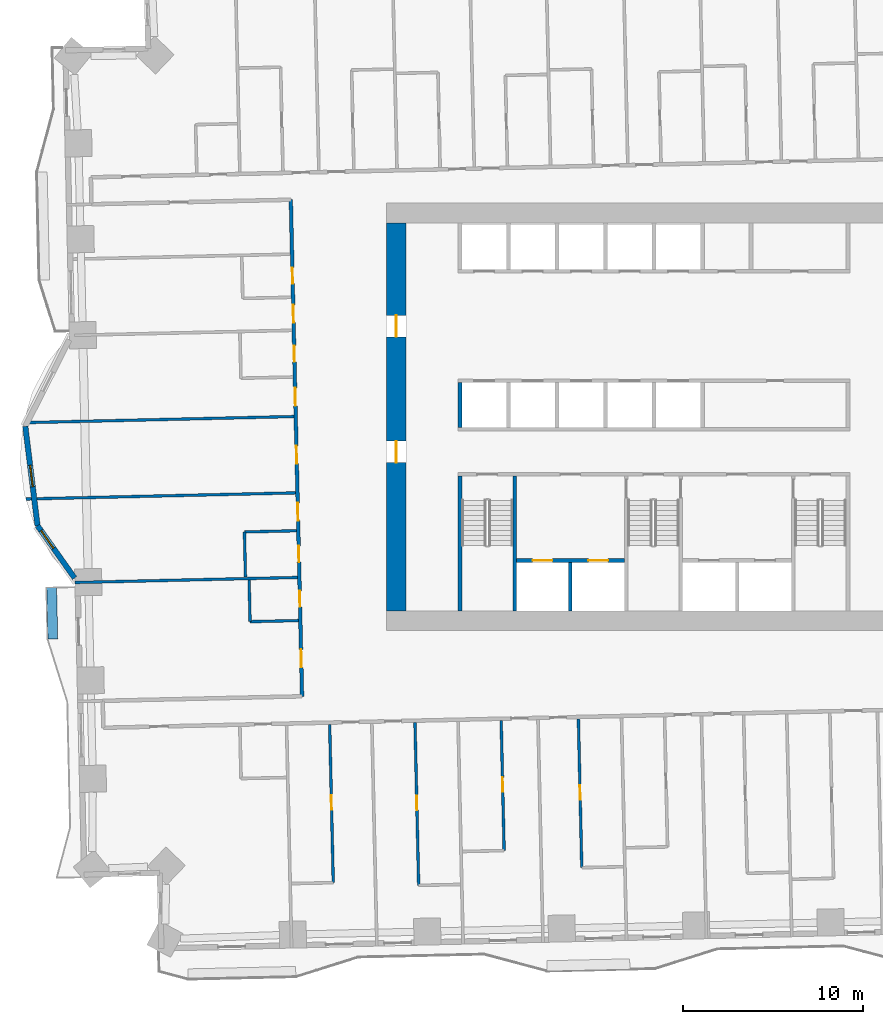
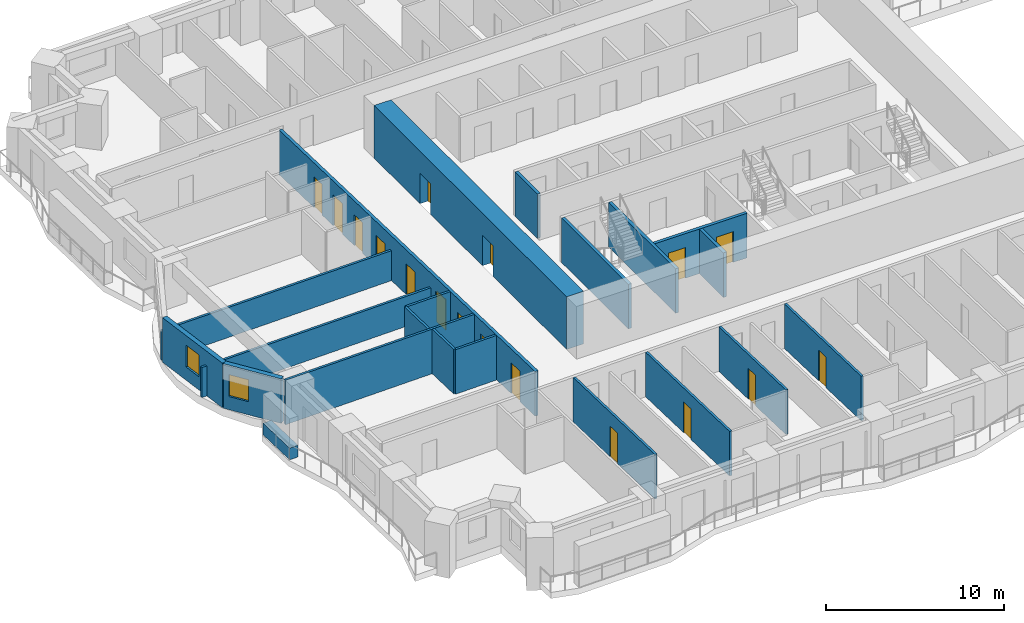
# One storey, part 5 of 16: 21 walls, 17 doors, 2 windows, 19 openings.
"""IFC4 building model written with IfcOpenShell, lengths in metres."""

from ifc_helpers import new_model, si_unit, direction, frame, frame_2d, origin, place, context, subcontext, project, spatial, rectangle, extrude, material, layer, layer_set, type_object, element, fill, save


model = new_model("IFC4")

# Units and contexts
model_context = context("Model", 3, precision=1e-05, world=origin(), true_north=direction((0.0, 1.0)))
body_context = subcontext(model_context, "Body", "Model", "MODEL_VIEW")
ifc_project = project(units=[si_unit("LENGTHUNIT", "METRE"), si_unit("AREAUNIT", "SQUARE_METRE"), si_unit("VOLUMEUNIT", "CUBIC_METRE"), si_unit("PLANEANGLEUNIT", "RADIAN"), si_unit("MASSUNIT", "GRAM", prefix="KILO")], contexts=[model_context])

# Site, building, storey
site_placement = place(None, origin())
site = spatial("IfcSite", under=ifc_project, at=site_placement, CompositionType="ELEMENT")
building_placement = place(site_placement, origin())
building = spatial("IfcBuilding", under=site, at=building_placement, Name="Mangrove Gate Tower", CompositionType="ELEMENT")
storey_placement = place(building_placement, frame((0.0, 0.0, 44.89990234375)))
storey = spatial("IfcBuildingStorey", under=building, at=storey_placement, Name="L10", CompositionType="ELEMENT", Elevation=44.89990234375)

# Wall, openings, doors
ifc_material_1 = material(Name="Concrete C70/85", Category="concrete")
ifc_layer_1 = layer(ifc_material_1, 0.199951171875)
ifc_layer_set_1 = layer_set([ifc_layer_1], Name="Core shaft wall 200 C70/85")
wall_type_1 = type_object("IfcWallType", Name="Core shaft wall 200 C70/85", PredefinedType="SHEAR", material=ifc_layer_set_1)
wall_1_placement = place(storey_placement, frame((-7.64990234375, -8.0, 0.0), z_axis=(0.0, 0.0, 1.0), x_axis=(1.0, 0.0, 0.0)))
wall_1 = element("IfcWall", 1, at=wall_1_placement, inside=storey, type_object=wall_type_1, Name="WALL-L10-CORE-15", PredefinedType="SHEAR", context=body_context, shape_type="SweptSolid", body=[
    extrude(rectangle(XDim=6.0, YDim=0.199951171875, at=frame_2d((3.0, 0.0))), origin(), (0.0, 0.0, 1.0), 3.050048828125),
])
opening_1_placement = place(wall_1_placement, frame((0.89990234375, 0.0, 0.0)))
opening_1 = element("IfcOpeningElement", 2, at=opening_1_placement, cuts=wall_1, Name="Opening LD", PredefinedType="OPENING", context=body_context, shape_type="SweptSolid", body=[
    extrude(rectangle(XDim=1.10009765625, YDim=2.10009765625, at=frame_2d((0.550048828125, 1.050048828125))), frame((0.0, 0.10986328125, 0.0), z_axis=(0.0, -1.0, 0.0), x_axis=(1.0, 0.0, 0.0)), (0.0, 0.0, 1.0), 0.219970703125),
])
opening_2_placement = place(wall_1_placement, frame((4.0, 0.0, 0.0)))
opening_2 = element("IfcOpeningElement", 3, at=opening_2_placement, cuts=wall_1, Name="Opening LD", PredefinedType="OPENING", context=body_context, shape_type="SweptSolid", body=[
    extrude(rectangle(XDim=1.10009765625, YDim=2.10009765625, at=frame_2d((0.550048828125, 1.050048828125))), frame((0.0, 0.10986328125, 0.0), z_axis=(0.0, -1.0, 0.0), x_axis=(1.0, 0.0, 0.0)), (0.0, 0.0, 1.0), 0.219970703125),
])
ifc_material_2 = material(Name="Stainless steel 316", Category="steel")
door_type_1 = type_object("IfcDoorType", Name="Lift landing door 1100x2100", OperationType="SLIDING_TO_LEFT", PredefinedType="DOOR", material=ifc_material_2)
door_1_placement = place(opening_1_placement, origin())
door_1 = element("IfcDoor", 4, at=door_1_placement, inside=storey, type_object=door_type_1, Name="Landing door LD SVL1", OperationType="SLIDING_TO_LEFT", OverallHeight=2.10009765625, OverallWidth=1.10009765625, PredefinedType="DOOR", context=body_context, shape_type="SweptSolid", body=[
    extrude(rectangle(XDim=1.10009765625, YDim=2.10009765625, at=frame_2d((0.550048828125, 1.050048828125))), frame((0.0, 0.02490234375, 0.0), z_axis=(0.0, -1.0, 0.0), x_axis=(1.0, 0.0, 0.0)), (0.0, 0.0, 1.0), 0.050048828125),
])
fill(opening_1, door_1)
door_2_placement = place(opening_2_placement, origin())
door_2 = element("IfcDoor", 5, at=door_2_placement, inside=storey, type_object=door_type_1, Name="Landing door LD SVL2", OperationType="SLIDING_TO_LEFT", OverallHeight=2.10009765625, OverallWidth=1.10009765625, PredefinedType="DOOR", context=body_context, shape_type="SweptSolid", body=[
    extrude(rectangle(XDim=1.10009765625, YDim=2.10009765625, at=frame_2d((0.550048828125, 1.050048828125))), frame((0.0, 0.02490234375, 0.0), z_axis=(0.0, -1.0, 0.0), x_axis=(1.0, 0.0, 0.0)), (0.0, 0.0, 1.0), 0.050048828125),
])
fill(opening_2, door_2)

# Walls
wall_2_placement = place(storey_placement, frame((-4.64990234375, -10.800048828125, 0.0), z_axis=(0.0, 0.0, 1.0), x_axis=(0.0, 1.0, 0.0)))
element("IfcWall", 6, at=wall_2_placement, inside=storey, type_object=wall_type_1, Name="WALL-L10-CORE-16", PredefinedType="SHEAR", context=body_context, shape_type="SweptSolid", body=[
    extrude(rectangle(XDim=2.699951171875, YDim=0.199951171875, at=frame_2d((1.35009765625, 0.0))), origin(), (0.0, 0.0, 1.0), 3.050048828125),
])
wall_3_placement = place(storey_placement, frame((-10.800048828125, -0.60009765625, 0.0), z_axis=(0.0, 0.0, 1.0), x_axis=(0.0, 1.0, 0.0)))
element("IfcWall", 7, at=wall_3_placement, inside=storey, type_object=wall_type_1, Name="WALL-L10-CORE-19", PredefinedType="SHEAR", context=body_context, shape_type="SweptSolid", body=[
    extrude(rectangle(XDim=2.5, YDim=0.199951171875, at=frame_2d((1.25, 0.0))), origin(), (0.0, 0.0, 1.0), 3.050048828125),
])
ifc_material_3 = material(Name="Concrete C70/85", Category="concrete")
ifc_layer_2 = layer(ifc_material_3, 0.199951171875)
ifc_layer_set_2 = layer_set([ifc_layer_2], Name="Core stair wall 200 C70/85")
wall_type_2 = type_object("IfcWallType", Name="Core stair wall 200 C70/85", PredefinedType="SHEAR", material=ifc_layer_set_2)
for number, where, z_axis, x_axis, name in (
    (8, (-10.800048828125, -10.800048828125, 0.0), (0.0, 0.0, 1.0), (0.0, 1.0, 0.0), "WALL-L10-CORE-9"),
    (9, (-7.75, -10.800048828125, 0.0), (0.0, 0.0, 1.0), (0.0, 1.0, 0.0), "WALL-L10-CORE-10"),
):
    element("IfcWall", number, at=place(storey_placement, frame(where, z_axis=z_axis, x_axis=x_axis)), inside=storey, type_object=wall_type_2, Name=name, PredefinedType="SHEAR", context=body_context, shape_type="SweptSolid", body=[
        extrude(rectangle(XDim=7.5, YDim=0.199951171875, at=frame_2d((3.75, 0.0))), origin(), (0.0, 0.0, 1.0), 3.050048828125),
    ])

# Wall, openings, doors
ifc_material_4 = material(Name="Concrete C70/85", Category="concrete")
ifc_layer_3 = layer(ifc_material_4, 1.10009765625)
ifc_layer_set_3 = layer_set([ifc_layer_3], Name="Core wall 1100 C70/85")
wall_type_3 = type_object("IfcWallType", Name="Core wall 1100 C70/85", PredefinedType="SHEAR", material=ifc_layer_set_3)
wall_4_placement = place(storey_placement, frame((-14.35009765625, -10.800048828125, 0.0), z_axis=(0.0, 0.0, 1.0), x_axis=(0.0, 1.0, 0.0)))
wall_4 = element("IfcWall", 10, at=wall_4_placement, inside=storey, type_object=wall_type_3, Name="WALL-L10-CORE-3", PredefinedType="SHEAR", context=body_context, shape_type="SweptSolid", body=[
    extrude(rectangle(XDim=21.60009765625, YDim=1.10009765625, at=frame_2d((10.800048828125, 0.0))), origin(), (0.0, 0.0, 1.0), 3.60009765625),
])
opening_3_placement = place(wall_4_placement, frame((8.25, 0.0, 0.0)))
opening_3 = element("IfcOpeningElement", 11, at=opening_3_placement, cuts=wall_4, Name="Opening CD", PredefinedType="OPENING", context=body_context, shape_type="SweptSolid", body=[
    extrude(rectangle(XDim=1.199951171875, YDim=2.10009765625, at=frame_2d((0.60009765625, 1.050048828125))), frame((0.0, 0.56005859375, 0.0), z_axis=(0.0, -1.0, 0.0), x_axis=(1.0, 0.0, 0.0)), (0.0, 0.0, 1.0), 1.1201171875),
])
opening_4_placement = place(wall_4_placement, frame((15.25, 0.0, 0.0)))
opening_4 = element("IfcOpeningElement", 12, at=opening_4_placement, cuts=wall_4, Name="Opening CD", PredefinedType="OPENING", context=body_context, shape_type="SweptSolid", body=[
    extrude(rectangle(XDim=1.199951171875, YDim=2.10009765625, at=frame_2d((0.60009765625, 1.050048828125))), frame((0.0, 0.56005859375, 0.0), z_axis=(0.0, -1.0, 0.0), x_axis=(1.0, 0.0, 0.0)), (0.0, 0.0, 1.0), 1.1201171875),
])
ifc_material_5 = material(Name="Fire-rated steel door set", Category="steel")
door_type_2 = type_object("IfcDoorType", Name="Core ring door FD60 1200x2100", OperationType="DOUBLE_DOOR_SINGLE_SWING", PredefinedType="DOOR", material=ifc_material_5)
door_3_placement = place(opening_3_placement, origin())
door_3 = element("IfcDoor", 13, at=door_3_placement, inside=storey, type_object=door_type_2, Name="Core ring door W1", OperationType="DOUBLE_DOOR_SINGLE_SWING", OverallHeight=2.10009765625, OverallWidth=1.199951171875, PredefinedType="DOOR", context=body_context, shape_type="SweptSolid", body=[
    extrude(rectangle(XDim=1.199951171875, YDim=2.10009765625, at=frame_2d((0.60009765625, 1.050048828125))), frame((0.0, 0.02490234375, 0.0), z_axis=(0.0, -1.0, 0.0), x_axis=(1.0, 0.0, 0.0)), (0.0, 0.0, 1.0), 0.050048828125),
])
fill(opening_3, door_3)
door_4_placement = place(opening_4_placement, origin())
door_4 = element("IfcDoor", 14, at=door_4_placement, inside=storey, type_object=door_type_2, Name="Core ring door W2", OperationType="DOUBLE_DOOR_SINGLE_SWING", OverallHeight=2.10009765625, OverallWidth=1.199951171875, PredefinedType="DOOR", context=body_context, shape_type="SweptSolid", body=[
    extrude(rectangle(XDim=1.199951171875, YDim=2.10009765625, at=frame_2d((0.60009765625, 1.050048828125))), frame((0.0, 0.02490234375, 0.0), z_axis=(0.0, -1.0, 0.0), x_axis=(1.0, 0.0, 0.0)), (0.0, 0.0, 1.0), 0.050048828125),
])
fill(opening_4, door_4)

ifc_material_6 = material(Name="Gypsum board on steel stud, EI 60", Category="steel")
ifc_layer_4 = layer(ifc_material_6, 0.199951171875)
ifc_layer_set_4 = layer_set([ifc_layer_4], Name="Corridor wall EI 60")
wall_type_4 = type_object("IfcWallType", Name="Corridor wall EI 60", PredefinedType="PARTITIONING", material=ifc_layer_set_4)
wall_5_placement = place(storey_placement, frame((-19.589111328125, -15.56201171875, 0.0), z_axis=(0.0, 0.0, 1.0), x_axis=(-0.02267447203, 0.999742901109, 0.0)))
wall_5 = element("IfcWall", 15, at=wall_5_placement, inside=storey, type_object=wall_type_4, Name="WALL-L10-036", PredefinedType="PARTITIONING", context=body_context, shape_type="SweptSolid", body=[
    extrude(rectangle(XDim=27.650146484375, YDim=0.199951171875, at=frame_2d((13.8251953125, 0.0))), origin(), (0.0, 0.0, 1.0), 3.050048828125),
])
opening_5_placement = place(wall_5_placement, frame((20.800048828125, 0.0, 0.0)))
opening_5 = element("IfcOpeningElement", 16, at=opening_5_placement, cuts=wall_5, Name="Opening AD", PredefinedType="OPENING", context=body_context, shape_type="SweptSolid", body=[
    extrude(rectangle(XDim=1.0, YDim=2.10009765625, at=frame_2d((0.5, 1.050048828125))), frame((0.0, 0.10986328125, 0.0), z_axis=(0.0, -1.0, 0.0), x_axis=(1.0, 0.0, 0.0)), (0.0, 0.0, 1.0), 0.219970703125),
])
opening_6_placement = place(wall_5_placement, frame((22.97509765625, 0.0, 0.0)))
opening_6 = element("IfcOpeningElement", 17, at=opening_6_placement, cuts=wall_5, Name="Opening SD", PredefinedType="OPENING", context=body_context, shape_type="SweptSolid", body=[
    extrude(rectangle(XDim=0.89990234375, YDim=2.10009765625, at=frame_2d((0.449951171875, 1.050048828125))), frame((0.0, 0.10986328125, 0.0), z_axis=(0.0, -1.0, 0.0), x_axis=(1.0, 0.0, 0.0)), (0.0, 0.0, 1.0), 0.219970703125),
])
opening_7_placement = place(wall_5_placement, frame((16.175048828125, 0.0, 0.0)))
opening_7 = element("IfcOpeningElement", 18, at=opening_7_placement, cuts=wall_5, Name="Opening AD", PredefinedType="OPENING", context=body_context, shape_type="SweptSolid", body=[
    extrude(rectangle(XDim=1.0, YDim=2.10009765625, at=frame_2d((0.5, 1.050048828125))), frame((0.0, 0.10986328125, 0.0), z_axis=(0.0, -1.0, 0.0), x_axis=(1.0, 0.0, 0.0)), (0.0, 0.0, 1.0), 0.219970703125),
])
opening_8_placement = place(wall_5_placement, frame((18.625, 0.0, 0.0)))
opening_8 = element("IfcOpeningElement", 19, at=opening_8_placement, cuts=wall_5, Name="Opening SD", PredefinedType="OPENING", context=body_context, shape_type="SweptSolid", body=[
    extrude(rectangle(XDim=0.89990234375, YDim=2.10009765625, at=frame_2d((0.449951171875, 1.050048828125))), frame((0.0, 0.10986328125, 0.0), z_axis=(0.0, -1.0, 0.0), x_axis=(1.0, 0.0, 0.0)), (0.0, 0.0, 1.0), 0.219970703125),
])
opening_9_placement = place(wall_5_placement, frame((12.949951171875, 0.0, 0.0)))
opening_9 = element("IfcOpeningElement", 20, at=opening_9_placement, cuts=wall_5, Name="Opening AD", PredefinedType="OPENING", context=body_context, shape_type="SweptSolid", body=[
    extrude(rectangle(XDim=1.0, YDim=2.10009765625, at=frame_2d((0.5, 1.050048828125))), frame((0.0, 0.10986328125, 0.0), z_axis=(0.0, -1.0, 0.0), x_axis=(1.0, 0.0, 0.0)), (0.0, 0.0, 1.0), 0.219970703125),
])
opening_10_placement = place(wall_5_placement, frame((9.77490234375, 0.0, 0.0)))
opening_10 = element("IfcOpeningElement", 21, at=opening_10_placement, cuts=wall_5, Name="Opening AD", PredefinedType="OPENING", context=body_context, shape_type="SweptSolid", body=[
    extrude(rectangle(XDim=1.0, YDim=2.10009765625, at=frame_2d((0.5, 1.050048828125))), frame((0.0, 0.10986328125, 0.0), z_axis=(0.0, -1.0, 0.0), x_axis=(1.0, 0.0, 0.0)), (0.0, 0.0, 1.0), 0.219970703125),
])
opening_11_placement = place(wall_5_placement, frame((7.47509765625, 0.0, 0.0)))
opening_11 = element("IfcOpeningElement", 22, at=opening_11_placement, cuts=wall_5, Name="Opening SD", PredefinedType="OPENING", context=body_context, shape_type="SweptSolid", body=[
    extrude(rectangle(XDim=0.89990234375, YDim=2.10009765625, at=frame_2d((0.449951171875, 1.050048828125))), frame((0.0, 0.10986328125, 0.0), z_axis=(0.0, -1.0, 0.0), x_axis=(1.0, 0.0, 0.0)), (0.0, 0.0, 1.0), 0.219970703125),
])
opening_12_placement = place(wall_5_placement, frame((1.612060546875, 0.0, 0.0)))
opening_12 = element("IfcOpeningElement", 23, at=opening_12_placement, cuts=wall_5, Name="Opening AD", PredefinedType="OPENING", context=body_context, shape_type="SweptSolid", body=[
    extrude(rectangle(XDim=1.0, YDim=2.10009765625, at=frame_2d((0.5, 1.050048828125))), frame((0.0, 0.10986328125, 0.0), z_axis=(0.0, -1.0, 0.0), x_axis=(1.0, 0.0, 0.0)), (0.0, 0.0, 1.0), 0.219970703125),
])
opening_13_placement = place(wall_5_placement, frame((4.97509765625, 0.0, 0.0)))
opening_13 = element("IfcOpeningElement", 24, at=opening_13_placement, cuts=wall_5, Name="Opening SD", PredefinedType="OPENING", context=body_context, shape_type="SweptSolid", body=[
    extrude(rectangle(XDim=0.89990234375, YDim=2.10009765625, at=frame_2d((0.449951171875, 1.050048828125))), frame((0.0, 0.10986328125, 0.0), z_axis=(0.0, -1.0, 0.0), x_axis=(1.0, 0.0, 0.0)), (0.0, 0.0, 1.0), 0.219970703125),
])
ifc_material_7 = material(Name="Timber door leaf", Category="wood")
door_type_3 = type_object("IfcDoorType", Name="Amenity door 1000", OperationType="SINGLE_SWING_LEFT", PredefinedType="DOOR", material=ifc_material_7)
door_5_placement = place(opening_5_placement, origin())
door_5 = element("IfcDoor", 25, at=door_5_placement, inside=storey, type_object=door_type_3, Name="DOOR-L10-GAM-c5a", OperationType="SINGLE_SWING_LEFT", OverallHeight=2.10009765625, OverallWidth=1.0, PredefinedType="DOOR", context=body_context, shape_type="SweptSolid", body=[
    extrude(rectangle(XDim=1.0, YDim=2.10009765625, at=frame_2d((0.5, 1.050048828125))), frame((0.0, 0.02490234375, 0.0), z_axis=(0.0, -1.0, 0.0), x_axis=(1.0, 0.0, 0.0)), (0.0, 0.0, 1.0), 0.050048828125),
])
fill(opening_5, door_5)
door_6_placement = place(opening_7_placement, origin())
door_6 = element("IfcDoor", 26, at=door_6_placement, inside=storey, type_object=door_type_3, Name="DOOR-L10-LNG-c5b", OperationType="SINGLE_SWING_RIGHT", OverallHeight=2.10009765625, OverallWidth=1.0, PredefinedType="DOOR", context=body_context, shape_type="SweptSolid", body=[
    extrude(rectangle(XDim=1.0, YDim=2.10009765625, at=frame_2d((0.5, 1.050048828125))), frame((0.0, 0.02490234375, 0.0), z_axis=(0.0, -1.0, 0.0), x_axis=(1.0, 0.0, 0.0)), (0.0, 0.0, 1.0), 0.050048828125),
])
fill(opening_7, door_6)
door_7_placement = place(opening_9_placement, origin())
door_7 = element("IfcDoor", 27, at=door_7_placement, inside=storey, type_object=door_type_3, Name="DOOR-L10-LNG-c5c", OperationType="SINGLE_SWING_LEFT", OverallHeight=2.10009765625, OverallWidth=1.0, PredefinedType="DOOR", context=body_context, shape_type="SweptSolid", body=[
    extrude(rectangle(XDim=1.0, YDim=2.10009765625, at=frame_2d((0.5, 1.050048828125))), frame((0.0, 0.02490234375, 0.0), z_axis=(0.0, -1.0, 0.0), x_axis=(1.0, 0.0, 0.0)), (0.0, 0.0, 1.0), 0.050048828125),
])
fill(opening_9, door_7)
door_8_placement = place(opening_10_placement, origin())
door_8 = element("IfcDoor", 28, at=door_8_placement, inside=storey, type_object=door_type_3, Name="DOOR-L10-KIT-c5a", OperationType="SINGLE_SWING_RIGHT", OverallHeight=2.10009765625, OverallWidth=1.0, PredefinedType="DOOR", context=body_context, shape_type="SweptSolid", body=[
    extrude(rectangle(XDim=1.0, YDim=2.10009765625, at=frame_2d((0.5, 1.050048828125))), frame((0.0, 0.02490234375, 0.0), z_axis=(0.0, -1.0, 0.0), x_axis=(1.0, 0.0, 0.0)), (0.0, 0.0, 1.0), 0.050048828125),
])
fill(opening_10, door_8)
door_9_placement = place(opening_12_placement, origin())
door_9 = element("IfcDoor", 29, at=door_9_placement, inside=storey, type_object=door_type_3, Name="DOOR-L10-GAM-c5b", OperationType="SINGLE_SWING_LEFT", OverallHeight=2.10009765625, OverallWidth=1.0, PredefinedType="DOOR", context=body_context, shape_type="SweptSolid", body=[
    extrude(rectangle(XDim=1.0, YDim=2.10009765625, at=frame_2d((0.5, 1.050048828125))), frame((0.0, 0.02490234375, 0.0), z_axis=(0.0, -1.0, 0.0), x_axis=(1.0, 0.0, 0.0)), (0.0, 0.0, 1.0), 0.050048828125),
])
fill(opening_12, door_9)
ifc_material_8 = material(Name="Timber door leaf", Category="wood")
door_type_4 = type_object("IfcDoorType", Name="Service room door 900", OperationType="SINGLE_SWING_LEFT", PredefinedType="DOOR", material=ifc_material_8)
door_10_placement = place(opening_6_placement, origin())
door_10 = element("IfcDoor", 30, at=door_10_placement, inside=storey, type_object=door_type_4, Name="DOOR-L10-WC-c5b", OperationType="SINGLE_SWING_RIGHT", OverallHeight=2.10009765625, OverallWidth=0.89990234375, PredefinedType="DOOR", context=body_context, shape_type="SweptSolid", body=[
    extrude(rectangle(XDim=0.89990234375, YDim=2.10009765625, at=frame_2d((0.449951171875, 1.050048828125))), frame((0.0, 0.02490234375, 0.0), z_axis=(0.0, -1.0, 0.0), x_axis=(1.0, 0.0, 0.0)), (0.0, 0.0, 1.0), 0.050048828125),
])
fill(opening_6, door_10)
door_11_placement = place(opening_8_placement, origin())
door_11 = element("IfcDoor", 31, at=door_11_placement, inside=storey, type_object=door_type_4, Name="DOOR-L10-AWC-c5a", OperationType="SINGLE_SWING_LEFT", OverallHeight=2.10009765625, OverallWidth=0.89990234375, PredefinedType="DOOR", context=body_context, shape_type="SweptSolid", body=[
    extrude(rectangle(XDim=0.89990234375, YDim=2.10009765625, at=frame_2d((0.449951171875, 1.050048828125))), frame((0.0, 0.02490234375, 0.0), z_axis=(0.0, -1.0, 0.0), x_axis=(1.0, 0.0, 0.0)), (0.0, 0.0, 1.0), 0.050048828125),
])
fill(opening_8, door_11)
door_12_placement = place(opening_11_placement, origin())
door_12 = element("IfcDoor", 32, at=door_12_placement, inside=storey, type_object=door_type_4, Name="DOOR-L10-AWC-c5b", OperationType="SINGLE_SWING_RIGHT", OverallHeight=2.10009765625, OverallWidth=0.89990234375, PredefinedType="DOOR", context=body_context, shape_type="SweptSolid", body=[
    extrude(rectangle(XDim=0.89990234375, YDim=2.10009765625, at=frame_2d((0.449951171875, 1.050048828125))), frame((0.0, 0.02490234375, 0.0), z_axis=(0.0, -1.0, 0.0), x_axis=(1.0, 0.0, 0.0)), (0.0, 0.0, 1.0), 0.050048828125),
])
fill(opening_11, door_12)
door_13_placement = place(opening_13_placement, origin())
door_13 = element("IfcDoor", 33, at=door_13_placement, inside=storey, type_object=door_type_4, Name="DOOR-L10-WC-c5c", OperationType="SINGLE_SWING_LEFT", OverallHeight=2.10009765625, OverallWidth=0.89990234375, PredefinedType="DOOR", context=body_context, shape_type="SweptSolid", body=[
    extrude(rectangle(XDim=0.89990234375, YDim=2.10009765625, at=frame_2d((0.449951171875, 1.050048828125))), frame((0.0, 0.02490234375, 0.0), z_axis=(0.0, -1.0, 0.0), x_axis=(1.0, 0.0, 0.0)), (0.0, 0.0, 1.0), 0.050048828125),
])
fill(opening_13, door_13)

# Wall, opening, window
ifc_material_9 = material(Name="Limestone", Category="masonry")
ifc_layer_5 = layer(ifc_material_9, 0.0400390625, Name="Limestone cladding")
ifc_material_10 = material(Name="Ventilated air gap")
ifc_layer_6 = layer(ifc_material_10, 0.0400390625, Name="Ventilated cavity")
ifc_material_11 = material(Name="Mineral wool insulation")
ifc_layer_7 = layer(ifc_material_11, 0.06005859375, Name="Insulation")
ifc_material_12 = material(Name="Breather membrane")
ifc_layer_8 = layer(ifc_material_12, 0.001953125, Name="Breather membrane")
ifc_material_13 = material(Name="Concrete C20/25 blockwork", Category="masonry")
ifc_layer_9 = layer(ifc_material_13, 0.14990234375, Name="Blockwork backing wall")
ifc_material_14 = material(Name="Gypsum plaster")
ifc_layer_10 = layer(ifc_material_14, 0.008056640625, Name="Internal plaster")
ifc_layer_set_5 = layer_set([ifc_layer_5, ifc_layer_6, ifc_layer_7, ifc_layer_8, ifc_layer_9, ifc_layer_10], Name="External wall 300 limestone cladding")
wall_type_5 = type_object("IfcWallType", Name="External wall 300 limestone cladding", PredefinedType="SOLIDWALL", material=ifc_layer_set_5)
wall_6_placement = place(storey_placement, frame((-34.99609375, -0.533935546875, 0.0), z_axis=(0.0, 0.0, 1.0), x_axis=(0.122206978992, -0.992504636909, 0.0)))
wall_6 = element("IfcWall", 34, at=wall_6_placement, inside=storey, type_object=wall_type_5, Name="WALL-L10-W9f2", PredefinedType="SOLIDWALL", context=body_context, shape_type="SweptSolid", body=[
    extrude(rectangle(XDim=5.57373046875, YDim=0.300048828125, at=frame_2d((2.786865234375, 0.0))), origin(), (0.0, 0.0, 1.0), 3.050048828125),
])
opening_14_placement = place(wall_6_placement, frame((2.18701171875, 0.0, 0.89990234375)))
opening_14 = element("IfcOpeningElement", 35, at=opening_14_placement, cuts=wall_6, Name="Opening W1", PredefinedType="OPENING", context=body_context, shape_type="SweptSolid", body=[
    extrude(rectangle(XDim=1.199951171875, YDim=1.5, at=frame_2d((0.60009765625, 0.75))), frame((0.0, 0.159912109375, 0.0), z_axis=(0.0, -1.0, 0.0), x_axis=(1.0, 0.0, 0.0)), (0.0, 0.0, 1.0), 0.320068359375),
])
ifc_material_15 = material(Name="Aluminium frame with double-glazed low-e glass", Category="aluminium")
window_type = type_object("IfcWindowType", Name="Side lite 1200x1500", PartitioningType="SINGLE_PANEL", PredefinedType="WINDOW", material=ifc_material_15)
window_1_placement = place(opening_14_placement, origin())
window_1 = element("IfcWindow", 36, at=window_1_placement, inside=storey, type_object=window_type, Name="WIN-L10-W9f2", OverallHeight=1.5, OverallWidth=1.199951171875, PartitioningType="SINGLE_PANEL", PredefinedType="WINDOW", context=body_context, shape_type="SweptSolid", body=[
    extrude(rectangle(XDim=1.199951171875, YDim=1.5, at=frame_2d((0.60009765625, 0.75))), frame((0.0, 0.030029296875, 0.0), z_axis=(0.0, -1.0, 0.0), x_axis=(1.0, 0.0, 0.0)), (0.0, 0.0, 1.0), 0.06005859375),
])
fill(opening_14, window_1)

wall_7_placement = place(storey_placement, frame((-34.31494140625, -6.06591796875, 0.0), z_axis=(0.0, 0.0, 1.0), x_axis=(0.578062893695, -0.815992212544, 0.0)))
wall_7 = element("IfcWall", 37, at=wall_7_placement, inside=storey, type_object=wall_type_5, Name="WALL-L10-W9f3", PredefinedType="SOLIDWALL", context=body_context, shape_type="SweptSolid", body=[
    extrude(rectangle(XDim=3.56884765625, YDim=0.300048828125, at=frame_2d((1.784423828125, 0.0))), origin(), (0.0, 0.0, 1.0), 3.050048828125),
])
opening_15_placement = place(wall_7_placement, frame((0.337890625, 0.0, 0.89990234375)))
opening_15 = element("IfcOpeningElement", 38, at=opening_15_placement, cuts=wall_7, Name="Opening W1", PredefinedType="OPENING", context=body_context, shape_type="SweptSolid", body=[
    extrude(rectangle(XDim=1.199951171875, YDim=1.5, at=frame_2d((0.60009765625, 0.75))), frame((0.0, 0.159912109375, 0.0), z_axis=(0.0, -1.0, 0.0), x_axis=(1.0, 0.0, 0.0)), (0.0, 0.0, 1.0), 0.320068359375),
])
window_2_placement = place(opening_15_placement, origin())
window_2 = element("IfcWindow", 39, at=window_2_placement, inside=storey, type_object=window_type, Name="WIN-L10-W9f3", OverallHeight=1.5, OverallWidth=1.199951171875, PartitioningType="SINGLE_PANEL", PredefinedType="WINDOW", context=body_context, shape_type="SweptSolid", body=[
    extrude(rectangle(XDim=1.199951171875, YDim=1.5, at=frame_2d((0.60009765625, 0.75))), frame((0.0, 0.030029296875, 0.0), z_axis=(0.0, -1.0, 0.0), x_axis=(1.0, 0.0, 0.0)), (0.0, 0.0, 1.0), 0.06005859375),
])
fill(opening_15, window_2)

# Wall, opening, door
ifc_material_16 = material(Name="Gypsum board on steel stud, EI 60", Category="steel")
ifc_layer_11 = layer(ifc_material_16, 0.14990234375)
ifc_layer_set_6 = layer_set([ifc_layer_11], Name="Party wall 150 EI 60")
wall_type_6 = type_object("IfcWallType", Name="Party wall 150 EI 60", PredefinedType="PARTITIONING", material=ifc_layer_set_6)
wall_8_placement = place(storey_placement, frame((-13.09912109375, -26.0869140625, 0.0), z_axis=(0.0, 0.0, 1.0), x_axis=(-0.022583221876, 0.999744966524, 0.0)))
wall_8 = element("IfcWall", 40, at=wall_8_placement, inside=storey, type_object=wall_type_6, Name="WALL-L10-014", PredefinedType="PARTITIONING", context=body_context, shape_type="SweptSolid", body=[
    extrude(rectangle(XDim=9.070068359375, YDim=0.14990234375, at=frame_2d((4.53515625, 0.0))), origin(), (0.0, 0.0, 1.0), 3.050048828125),
])
opening_16_placement = place(wall_8_placement, frame((4.18505859375, 0.0, 0.0)))
opening_16 = element("IfcOpeningElement", 41, at=opening_16_placement, cuts=wall_8, Name="Opening ED", PredefinedType="OPENING", context=body_context, shape_type="SweptSolid", body=[
    extrude(rectangle(XDim=0.800048828125, YDim=2.10009765625, at=frame_2d((0.39990234375, 1.050048828125))), frame((0.0, 0.0849609375, 0.0), z_axis=(0.0, -1.0, 0.0), x_axis=(1.0, 0.0, 0.0)), (0.0, 0.0, 1.0), 0.169921875),
])
ifc_material_17 = material(Name="Timber door leaf", Category="wood")
door_type_5 = type_object("IfcDoorType", Name="En-suite door 800", OperationType="SINGLE_SWING_LEFT", PredefinedType="DOOR", material=ifc_material_17)
door_14_placement = place(opening_16_placement, origin())
door_14 = element("IfcDoor", 42, at=door_14_placement, inside=storey, type_object=door_type_5, Name="DOOR-L10-ENS-c102", OperationType="SINGLE_SWING_RIGHT", OverallHeight=2.10009765625, OverallWidth=0.800048828125, PredefinedType="DOOR", context=body_context, shape_type="SweptSolid", body=[
    extrude(rectangle(XDim=0.800048828125, YDim=2.10009765625, at=frame_2d((0.39990234375, 1.050048828125))), frame((0.0, 0.02490234375, 0.0), z_axis=(0.0, -1.0, 0.0), x_axis=(1.0, 0.0, 0.0)), (0.0, 0.0, 1.0), 0.050048828125),
])
fill(opening_16, door_14)

wall_9_placement = place(storey_placement, frame((-17.85302734375, -25.93505859375, 0.0), z_axis=(0.0, 0.0, 1.0), x_axis=(-0.022694967989, 0.999742436044, 0.0)))
wall_9 = element("IfcWall", 43, at=wall_9_placement, inside=storey, type_object=wall_type_6, Name="WALL-L10-016", PredefinedType="PARTITIONING", context=body_context, shape_type="SweptSolid", body=[
    extrude(rectangle(XDim=8.810302734375, YDim=0.14990234375, at=frame_2d((4.4052734375, 0.0))), origin(), (0.0, 0.0, 1.0), 3.050048828125),
])
opening_17_placement = place(wall_9_placement, frame((4.054931640625, 0.0, 0.0)))
opening_17 = element("IfcOpeningElement", 44, at=opening_17_placement, cuts=wall_9, Name="Opening ED", PredefinedType="OPENING", context=body_context, shape_type="SweptSolid", body=[
    extrude(rectangle(XDim=0.800048828125, YDim=2.10009765625, at=frame_2d((0.39990234375, 1.050048828125))), frame((0.0, 0.0849609375, 0.0), z_axis=(0.0, -1.0, 0.0), x_axis=(1.0, 0.0, 0.0)), (0.0, 0.0, 1.0), 0.169921875),
])
door_15_placement = place(opening_17_placement, origin())
door_15 = element("IfcDoor", 45, at=door_15_placement, inside=storey, type_object=door_type_5, Name="DOOR-L10-ENS-c101", OperationType="SINGLE_SWING_LEFT", OverallHeight=2.10009765625, OverallWidth=0.800048828125, PredefinedType="DOOR", context=body_context, shape_type="SweptSolid", body=[
    extrude(rectangle(XDim=0.800048828125, YDim=2.10009765625, at=frame_2d((0.39990234375, 1.050048828125))), frame((0.0, 0.02490234375, 0.0), z_axis=(0.0, -1.0, 0.0), x_axis=(1.0, 0.0, 0.0)), (0.0, 0.0, 1.0), 0.050048828125),
])
fill(opening_17, door_15)

wall_10_placement = place(storey_placement, frame((-4.01904296875, -25.10107421875, 0.0), z_axis=(0.0, 0.0, 1.0), x_axis=(-0.022675916361, 0.99974286835, 0.0)))
wall_10 = element("IfcWall", 46, at=wall_10_placement, inside=storey, type_object=wall_type_6, Name="WALL-L10-020", PredefinedType="PARTITIONING", context=body_context, shape_type="SweptSolid", body=[
    extrude(rectangle(XDim=8.290283203125, YDim=0.14990234375, at=frame_2d((4.14501953125, 0.0))), origin(), (0.0, 0.0, 1.0), 3.050048828125),
])
opening_18_placement = place(wall_10_placement, frame((3.794921875, 0.0, 0.0)))
opening_18 = element("IfcOpeningElement", 47, at=opening_18_placement, cuts=wall_10, Name="Opening ED", PredefinedType="OPENING", context=body_context, shape_type="SweptSolid", body=[
    extrude(rectangle(XDim=0.800048828125, YDim=2.10009765625, at=frame_2d((0.39990234375, 1.050048828125))), frame((0.0, 0.0849609375, 0.0), z_axis=(0.0, -1.0, 0.0), x_axis=(1.0, 0.0, 0.0)), (0.0, 0.0, 1.0), 0.169921875),
])
door_16_placement = place(opening_18_placement, origin())
door_16 = element("IfcDoor", 48, at=door_16_placement, inside=storey, type_object=door_type_5, Name="DOOR-L10-ENS-c104", OperationType="SINGLE_SWING_RIGHT", OverallHeight=2.10009765625, OverallWidth=0.800048828125, PredefinedType="DOOR", context=body_context, shape_type="SweptSolid", body=[
    extrude(rectangle(XDim=0.800048828125, YDim=2.10009765625, at=frame_2d((0.39990234375, 1.050048828125))), frame((0.0, 0.02490234375, 0.0), z_axis=(0.0, -1.0, 0.0), x_axis=(1.0, 0.0, 0.0)), (0.0, 0.0, 1.0), 0.050048828125),
])
fill(opening_18, door_16)

wall_11_placement = place(storey_placement, frame((-8.341064453125, -24.14892578125, 0.0), z_axis=(0.0, 0.0, 1.0), x_axis=(-0.022795707404, 0.999740144099, 0.0)))
wall_11 = element("IfcWall", 49, at=wall_11_placement, inside=storey, type_object=wall_type_6, Name="WALL-L10-026", PredefinedType="PARTITIONING", context=body_context, shape_type="SweptSolid", body=[
    extrude(rectangle(XDim=7.239990234375, YDim=0.14990234375, at=frame_2d((3.6201171875, 0.0))), origin(), (0.0, 0.0, 1.0), 3.050048828125),
])
opening_19_placement = place(wall_11_placement, frame((3.27001953125, 0.0, 0.0)))
opening_19 = element("IfcOpeningElement", 50, at=opening_19_placement, cuts=wall_11, Name="Opening ED", PredefinedType="OPENING", context=body_context, shape_type="SweptSolid", body=[
    extrude(rectangle(XDim=0.800048828125, YDim=2.10009765625, at=frame_2d((0.39990234375, 1.050048828125))), frame((0.0, 0.0849609375, 0.0), z_axis=(0.0, -1.0, 0.0), x_axis=(1.0, 0.0, 0.0)), (0.0, 0.0, 1.0), 0.169921875),
])
door_17_placement = place(opening_19_placement, origin())
door_17 = element("IfcDoor", 51, at=door_17_placement, inside=storey, type_object=door_type_5, Name="DOOR-L10-ENS-c103", OperationType="SINGLE_SWING_LEFT", OverallHeight=2.10009765625, OverallWidth=0.800048828125, PredefinedType="DOOR", context=body_context, shape_type="SweptSolid", body=[
    extrude(rectangle(XDim=0.800048828125, YDim=2.10009765625, at=frame_2d((0.39990234375, 1.050048828125))), frame((0.0, 0.02490234375, 0.0), z_axis=(0.0, -1.0, 0.0), x_axis=(1.0, 0.0, 0.0)), (0.0, 0.0, 1.0), 0.050048828125),
])
fill(opening_19, door_17)

# Walls
wall_12_placement = place(storey_placement, frame((-22.48388671875, -11.406005859375, 0.0), z_axis=(0.0, 0.0, 1.0), x_axis=(0.999744396973, 0.02260842146, 0.0)))
element("IfcWall", 52, at=wall_12_placement, inside=storey, type_object=wall_type_6, Name="WALL-L10-041", PredefinedType="PARTITIONING", context=body_context, shape_type="SweptSolid", body=[
    extrude(rectangle(XDim=2.69970703125, YDim=0.14990234375, at=frame_2d((1.349853515625, 0.0))), origin(), (0.0, 0.0, 1.0), 3.050048828125),
])
wall_13_placement = place(storey_placement, frame((-22.48388671875, -11.40087890625, 0.0), z_axis=(0.0, 0.0, 1.0), x_axis=(-0.022895561926, 0.999737862264, 0.0)))
element("IfcWall", 53, at=wall_13_placement, inside=storey, type_object=wall_type_6, Name="WALL-L10-042", PredefinedType="PARTITIONING", context=body_context, shape_type="SweptSolid", body=[
    extrude(rectangle(XDim=2.324462890625, YDim=0.14990234375, at=frame_2d((1.162109375, 0.0))), origin(), (0.0, 0.0, 1.0), 3.050048828125),
])
wall_14_placement = place(storey_placement, frame((-32.236083984375, -9.22705078125, 0.0), z_axis=(0.0, 0.0, 1.0), x_axis=(0.999743195783, 0.022661475803, 0.0)))
element("IfcWall", 54, at=wall_14_placement, inside=storey, type_object=wall_type_6, Name="WALL-L10-043", PredefinedType="PARTITIONING", context=body_context, shape_type="SweptSolid", body=[
    extrude(rectangle(XDim=12.400146484375, YDim=0.14990234375, at=frame_2d((6.2001953125, 0.0))), origin(), (0.0, 0.0, 1.0), 3.050048828125),
])
wall_15_placement = place(storey_placement, frame((-22.739990234375, -8.930908203125, 0.0), z_axis=(0.0, 0.0, 1.0), x_axis=(-0.023015762656, 0.999735102249, 0.0)))
element("IfcWall", 55, at=wall_15_placement, inside=storey, type_object=wall_type_6, Name="WALL-L10-044", PredefinedType="PARTITIONING", context=body_context, shape_type="SweptSolid", body=[
    extrude(rectangle(XDim=2.524658203125, YDim=0.14990234375, at=frame_2d((1.26220703125, 0.0))), origin(), (0.0, 0.0, 1.0), 3.050048828125),
])
wall_16_placement = place(storey_placement, frame((-22.797119140625, -6.412109375, 0.0), z_axis=(0.0, 0.0, 1.0), x_axis=(0.999739701447, 0.022815112345, 0.0)))
element("IfcWall", 56, at=wall_16_placement, inside=storey, type_object=wall_type_6, Name="WALL-L10-045", PredefinedType="PARTITIONING", context=body_context, shape_type="SweptSolid", body=[
    extrude(rectangle(XDim=2.89990234375, YDim=0.14990234375, at=frame_2d((1.449951171875, 0.0))), origin(), (0.0, 0.0, 1.0), 3.050048828125),
])
wall_17_placement = place(storey_placement, frame((-34.967041015625, -4.577880859375, 0.0), z_axis=(0.0, 0.0, 1.0), x_axis=(0.999742690494, 0.022683756395, 0.0)))
element("IfcWall", 57, at=wall_17_placement, inside=storey, type_object=wall_type_6, Name="WALL-L10-046", PredefinedType="PARTITIONING", context=body_context, shape_type="SweptSolid", body=[
    extrude(rectangle(XDim=15.02490234375, YDim=0.14990234375, at=frame_2d((7.512451171875, 0.0))), origin(), (0.0, 0.0, 1.0), 2.050048828125),
])
wall_18_placement = place(storey_placement, frame((-35.094970703125, -0.330078125, 0.0), z_axis=(0.0, 0.0, 1.0), x_axis=(0.999741944356, 0.022716617157, 0.0)))
element("IfcWall", 58, at=wall_18_placement, inside=storey, type_object=wall_type_6, Name="WALL-L10-047", PredefinedType="PARTITIONING", context=body_context, shape_type="SweptSolid", body=[
    extrude(rectangle(XDim=15.056884765625, YDim=0.14990234375, at=frame_2d((7.5283203125, 0.0))), origin(), (0.0, 0.0, 1.0), 2.050048828125),
])
ifc_material_18 = material(Name="Concrete C32/40", Category="concrete")
ifc_layer_12 = layer(ifc_material_18, 0.199951171875, Name="Planter trough wall")
ifc_material_19 = material(Name="Bituminous waterproofing membrane")
ifc_layer_13 = layer(ifc_material_19, 0.0048828125, Name="Waterproofing")
ifc_material_20 = material(Name="Drainage board and gravel")
ifc_layer_14 = layer(ifc_material_20, 0.044921875, Name="Drainage layer")
ifc_material_21 = material(Name="Planting soil")
ifc_layer_15 = layer(ifc_material_21, 0.300048828125, Name="Growing medium")
ifc_layer_set_7 = layer_set([ifc_layer_12, ifc_layer_13, ifc_layer_14, ifc_layer_15], Name="Planter wall 550 C32/40")
wall_type_7 = type_object("IfcWallType", Name="Planter wall 550 C32/40", PredefinedType="USERDEFINED", material=ifc_layer_set_7)
wall_19_placement = place(storey_placement, frame((-33.464111328125, -12.375, 0.0), z_axis=(0.0, 0.0, 1.0), x_axis=(-0.022929749512, 0.99973707873, 0.0)))
element("IfcWall", 59, at=wall_19_placement, inside=storey, type_object=wall_type_7, Name="PLANTER L10 W1.1", ObjectType="PLANTER", PredefinedType="USERDEFINED", context=body_context, shape_type="SweptSolid", body=[
    extrude(rectangle(XDim=2.874755859375, YDim=0.550048828125, at=frame_2d((1.4375, 0.0))), origin(), (0.0, 0.0, 1.0), 0.800048828125),
])

save(model, "model.ifc")
